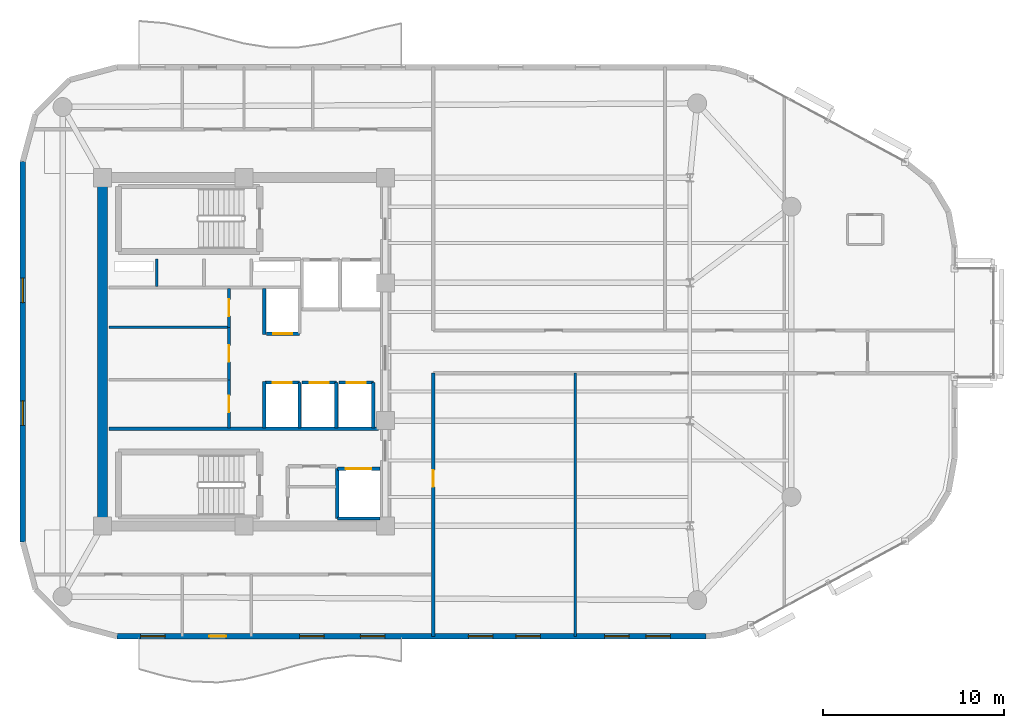
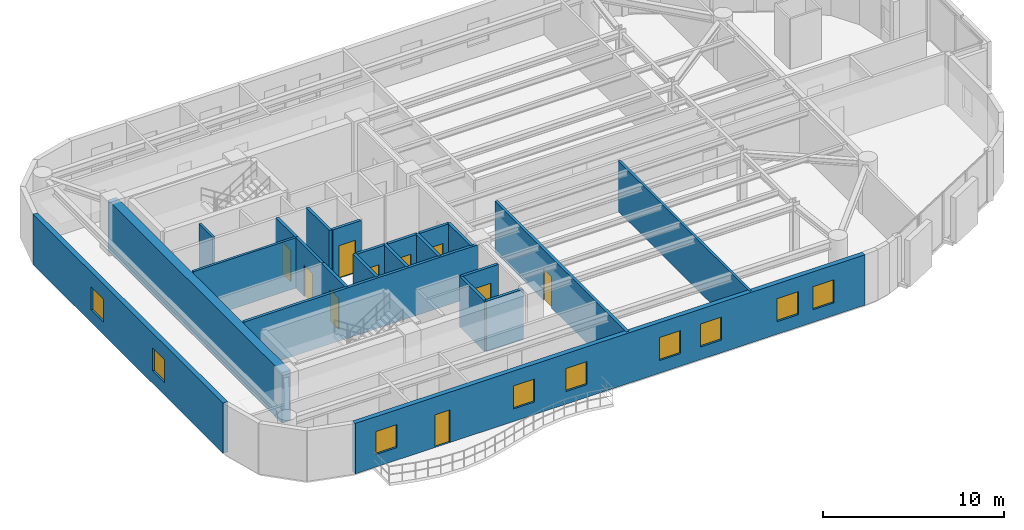
# One storey, part 10 of 15: 23 walls, 10 doors, 9 windows, 19 openings.
"""IFC4 building model written with IfcOpenShell, lengths in metres."""

from ifc_helpers import new_model, si_unit, direction, frame, frame_2d, origin, place, context, subcontext, project, spatial, rectangle, extrude, material, layer, layer_set, type_object, element, fill, save


model = new_model("IFC4")

# Units and contexts
model_context = context("Model", 3, precision=1e-05, world=origin(), true_north=direction((0.0, 1.0)))
body_context = subcontext(model_context, "Body", "Model", "MODEL_VIEW")
ifc_project = project(units=[si_unit("LENGTHUNIT", "METRE"), si_unit("AREAUNIT", "SQUARE_METRE"), si_unit("VOLUMEUNIT", "CUBIC_METRE"), si_unit("PLANEANGLEUNIT", "RADIAN"), si_unit("MASSUNIT", "GRAM", prefix="KILO")], contexts=[model_context])

# Site, building, storey
site_placement = place(None, origin())
site = spatial("IfcSite", under=ifc_project, at=site_placement, CompositionType="ELEMENT")
building_placement = place(site_placement, origin())
building = spatial("IfcBuilding", under=site, at=building_placement, Name="An Khanh Terracotta Commons", CompositionType="ELEMENT")
storey_placement = place(building_placement, frame((0.0, 0.0, 208.5)))
storey = spatial("IfcBuildingStorey", under=building, at=storey_placement, Name="L54", CompositionType="ELEMENT", Elevation=208.5)

# Walls
ifc_material_1 = material(Name="Concrete C50/60", Category="concrete")
ifc_layer_1 = layer(ifc_material_1, 0.550048828125, Name="Concrete C50/60")
ifc_layer_set_1 = layer_set([ifc_layer_1], Name="Concrete C50/60")
wall_type_1 = type_object("IfcWallType", Name="WALL-CORE-550", PredefinedType="SHEAR", material=ifc_layer_set_1)
wall_1_placement = place(storey_placement, frame((21.60009765625, 14.39990234375, 0.0), z_axis=(0.0, 0.0, 1.0), x_axis=(0.0, 1.0, 0.0)))
element("IfcWall", 1, at=wall_1_placement, inside=storey, type_object=wall_type_1, Name="L54 Core Wall CWALL-L54-W", PredefinedType="SHEAR", context=body_context, shape_type="SweptSolid", body=[
    extrude(rectangle(XDim=19.2001953125, YDim=0.550048828125, at=frame_2d((9.60009765625, 0.0))), origin(), (0.0, 0.0, 1.0), 3.39990234375),
])
ifc_material_2 = material(Name="Fire-Rated Gypsum Board on Steel Stud", Category="steel")
ifc_layer_2 = layer(ifc_material_2, 0.179931640625, Name="Fire-Rated Gypsum Board on Steel Stud")
ifc_layer_set_2 = layer_set([ifc_layer_2], Name="Fire-Rated Gypsum Board on Steel Stud")
wall_type_2 = type_object("IfcWallType", Name="WALL-CORR-180", PredefinedType="PARTITIONING", material=ifc_layer_set_2)
wall_2_placement = place(storey_placement, frame((21.949951171875, 19.760009765625, 0.0), z_axis=(0.0, 0.0, 1.0), x_axis=(1.0, 0.0, 0.0)))
element("IfcWall", 2, at=wall_2_placement, inside=storey, type_object=wall_type_2, Name="L54 Core Wall SVW-L54-N", PredefinedType="PARTITIONING", context=body_context, shape_type="SweptSolid", body=[
    extrude(rectangle(XDim=14.8701171875, YDim=0.179931640625, at=frame_2d((7.43505859375, 0.0))), origin(), (0.0, 0.0, 1.0), 3.39990234375),
])

# Wall, opening, door
wall_3_placement = place(storey_placement, frame((34.550048828125, 17.550048828125, 0.0), z_axis=(0.0, 0.0, 1.0), x_axis=(1.0, 0.0, 0.0)))
wall_3 = element("IfcWall", 3, at=wall_3_placement, inside=storey, type_object=wall_type_2, Name="L54 Core Wall LSH-L54-SVL-01-N", PredefinedType="PARTITIONING", context=body_context, shape_type="SweptSolid", body=[
    extrude(rectangle(XDim=2.349853515625, YDim=0.179931640625, at=frame_2d((1.1748046875, 0.0))), origin(), (0.0, 0.0, 1.0), 3.39990234375),
])
opening_1_placement = place(wall_3_placement, frame((0.47509765625, 0.0, 0.0)))
opening_1 = element("IfcOpeningElement", 4, at=opening_1_placement, cuts=wall_3, Name="Opening LD-SVL-01-L54", PredefinedType="OPENING", context=body_context, shape_type="SweptSolid", body=[
    extrude(rectangle(XDim=1.39990234375, YDim=2.300048828125, at=frame_2d((0.699951171875, 1.14990234375))), frame((0.0, 0.099853515625, 0.0), z_axis=(0.0, -1.0, 0.0), x_axis=(1.0, 0.0, 0.0)), (0.0, 0.0, 1.0), 0.199951171875),
])
ifc_material_3 = material(Name="Heavy-Duty Stainless Steel Goods Landing Door", Category="steel")
door_type_1 = type_object("IfcDoorType", Name="DOOR-LD-SVL-1400", OperationType="NOTDEFINED", PredefinedType="DOOR", material=ifc_material_3)
door_1_placement = place(opening_1_placement, origin())
door_1 = element("IfcDoor", 5, at=door_1_placement, inside=storey, type_object=door_type_1, Name="L54 Lift SVL-01 Sliding Landing Door", OperationType="DOUBLE_DOOR_SLIDING", OverallHeight=2.300048828125, OverallWidth=1.39990234375, PredefinedType="DOOR", context=body_context, shape_type="SweptSolid", body=[
    extrude(rectangle(XDim=1.39990234375, YDim=2.300048828125, at=frame_2d((0.699951171875, 1.14990234375))), frame((0.0, 0.02490234375, 0.0), z_axis=(0.0, -1.0, 0.0), x_axis=(1.0, 0.0, 0.0)), (0.0, 0.0, 1.0), 0.050048828125),
])
fill(opening_1, door_1)

# Walls
wall_4_placement = place(storey_placement, frame((36.89990234375, 14.800048828125, 0.0), z_axis=(0.0, 0.0, 1.0), x_axis=(-1.0, 0.0, 0.0)))
element("IfcWall", 6, at=wall_4_placement, inside=storey, type_object=wall_type_2, Name="L54 Core Wall LSH-L54-SVL-01-S", PredefinedType="PARTITIONING", context=body_context, shape_type="SweptSolid", body=[
    extrude(rectangle(XDim=2.349853515625, YDim=0.179931640625, at=frame_2d((1.1748046875, 0.0))), origin(), (0.0, 0.0, 1.0), 3.39990234375),
])
wall_5_placement = place(storey_placement, frame((34.550048828125, 17.550048828125, 0.0), z_axis=(0.0, 0.0, 1.0), x_axis=(0.0, -1.0, 0.0)))
element("IfcWall", 7, at=wall_5_placement, inside=storey, type_object=wall_type_2, Name="L54 Core Wall LSH-L54-SVL-01-W", PredefinedType="PARTITIONING", context=body_context, shape_type="SweptSolid", body=[
    extrude(rectangle(XDim=2.75, YDim=0.179931640625, at=frame_2d((1.375, 0.0))), origin(), (0.0, 0.0, 1.0), 3.39990234375),
])

# Wall, opening, door
wall_6_placement = place(storey_placement, frame((32.4599609375, 25.0, 0.0), z_axis=(0.0, 0.0, 1.0), x_axis=(-1.0, 0.0, 0.0)))
wall_6 = element("IfcWall", 8, at=wall_6_placement, inside=storey, type_object=wall_type_2, Name="L54 Core Wall LSH-L54-PL-H1-S", PredefinedType="PARTITIONING", context=body_context, shape_type="SweptSolid", body=[
    extrude(rectangle(XDim=1.820068359375, YDim=0.179931640625, at=frame_2d((0.91015625, 0.0))), origin(), (0.0, 0.0, 1.0), 3.39990234375),
])
opening_2_placement = place(wall_6_placement, frame((0.385009765625, 0.0, 0.0)))
opening_2 = element("IfcOpeningElement", 9, at=opening_2_placement, cuts=wall_6, Name="Opening LD-PL-H1-L54", PredefinedType="OPENING", context=body_context, shape_type="SweptSolid", body=[
    extrude(rectangle(XDim=1.050048828125, YDim=2.199951171875, at=frame_2d((0.52490234375, 1.10009765625))), frame((0.0, 0.099853515625, 0.0), z_axis=(0.0, -1.0, 0.0), x_axis=(1.0, 0.0, 0.0)), (0.0, 0.0, 1.0), 0.199951171875),
])
ifc_material_4 = material(Name="Brushed Stainless Steel High-Rise Landing Door", Category="steel")
door_type_2 = type_object("IfcDoorType", Name="DOOR-LD-PAXH-1050", OperationType="NOTDEFINED", PredefinedType="DOOR", material=ifc_material_4)
door_2_placement = place(opening_2_placement, origin())
door_2 = element("IfcDoor", 10, at=door_2_placement, inside=storey, type_object=door_type_2, Name="L54 Lift PL-H1 Sliding Landing Door", OperationType="DOUBLE_DOOR_SLIDING", OverallHeight=2.199951171875, OverallWidth=1.050048828125, PredefinedType="DOOR", context=body_context, shape_type="SweptSolid", body=[
    extrude(rectangle(XDim=1.050048828125, YDim=2.199951171875, at=frame_2d((0.52490234375, 1.10009765625))), frame((0.0, 0.02490234375, 0.0), z_axis=(0.0, -1.0, 0.0), x_axis=(1.0, 0.0, 0.0)), (0.0, 0.0, 1.0), 0.050048828125),
])
fill(opening_2, door_2)

wall_7_placement = place(storey_placement, frame((30.56005859375, 22.300048828125, 0.0), z_axis=(0.0, 0.0, 1.0), x_axis=(1.0, 0.0, 0.0)))
wall_7 = element("IfcWall", 11, at=wall_7_placement, inside=storey, type_object=wall_type_2, Name="L54 Core Wall LSH-L54-PL-H2-N", PredefinedType="PARTITIONING", context=body_context, shape_type="SweptSolid", body=[
    extrude(rectangle(XDim=1.89990234375, YDim=0.179931640625, at=frame_2d((0.949951171875, 0.0))), origin(), (0.0, 0.0, 1.0), 3.39990234375),
])
opening_3_placement = place(wall_7_placement, frame((0.425048828125, 0.0, 0.0)))
opening_3 = element("IfcOpeningElement", 12, at=opening_3_placement, cuts=wall_7, Name="Opening LD-PL-H2-L54", PredefinedType="OPENING", context=body_context, shape_type="SweptSolid", body=[
    extrude(rectangle(XDim=1.050048828125, YDim=2.199951171875, at=frame_2d((0.52490234375, 1.10009765625))), frame((0.0, 0.099853515625, 0.0), z_axis=(0.0, -1.0, 0.0), x_axis=(1.0, 0.0, 0.0)), (0.0, 0.0, 1.0), 0.199951171875),
])
door_3_placement = place(opening_3_placement, origin())
door_3 = element("IfcDoor", 13, at=door_3_placement, inside=storey, type_object=door_type_2, Name="L54 Lift PL-H2 Sliding Landing Door", OperationType="DOUBLE_DOOR_SLIDING", OverallHeight=2.199951171875, OverallWidth=1.050048828125, PredefinedType="DOOR", context=body_context, shape_type="SweptSolid", body=[
    extrude(rectangle(XDim=1.050048828125, YDim=2.199951171875, at=frame_2d((0.52490234375, 1.10009765625))), frame((0.0, 0.02490234375, 0.0), z_axis=(0.0, -1.0, 0.0), x_axis=(1.0, 0.0, 0.0)), (0.0, 0.0, 1.0), 0.050048828125),
])
fill(opening_3, door_3)

# Wall
wall_8_placement = place(storey_placement, frame((32.4599609375, 19.800048828125, 0.0), z_axis=(0.0, 0.0, 1.0), x_axis=(0.0, 1.0, 0.0)))
element("IfcWall", 14, at=wall_8_placement, inside=storey, type_object=wall_type_2, Name="L54 Core Wall LSH-L54-PL-H2-E", PredefinedType="PARTITIONING", context=body_context, shape_type="SweptSolid", body=[
    extrude(rectangle(XDim=2.5, YDim=0.179931640625, at=frame_2d((1.25, 0.0))), origin(), (0.0, 0.0, 1.0), 3.39990234375),
])

# Wall, opening, door
wall_9_placement = place(storey_placement, frame((32.60009765625, 22.300048828125, 0.0), z_axis=(0.0, 0.0, 1.0), x_axis=(1.0, 0.0, 0.0)))
wall_9 = element("IfcWall", 15, at=wall_9_placement, inside=storey, type_object=wall_type_2, Name="L54 Core Wall LSH-L54-PL-H3-N", PredefinedType="PARTITIONING", context=body_context, shape_type="SweptSolid", body=[
    extrude(rectangle(XDim=1.89990234375, YDim=0.179931640625, at=frame_2d((0.949951171875, 0.0))), origin(), (0.0, 0.0, 1.0), 3.39990234375),
])
opening_4_placement = place(wall_9_placement, frame((0.425048828125, 0.0, 0.0)))
opening_4 = element("IfcOpeningElement", 16, at=opening_4_placement, cuts=wall_9, Name="Opening LD-PL-H3-L54", PredefinedType="OPENING", context=body_context, shape_type="SweptSolid", body=[
    extrude(rectangle(XDim=1.050048828125, YDim=2.199951171875, at=frame_2d((0.52490234375, 1.10009765625))), frame((0.0, 0.099853515625, 0.0), z_axis=(0.0, -1.0, 0.0), x_axis=(1.0, 0.0, 0.0)), (0.0, 0.0, 1.0), 0.199951171875),
])
door_4_placement = place(opening_4_placement, origin())
door_4 = element("IfcDoor", 17, at=door_4_placement, inside=storey, type_object=door_type_2, Name="L54 Lift PL-H3 Sliding Landing Door", OperationType="DOUBLE_DOOR_SLIDING", OverallHeight=2.199951171875, OverallWidth=1.050048828125, PredefinedType="DOOR", context=body_context, shape_type="SweptSolid", body=[
    extrude(rectangle(XDim=1.050048828125, YDim=2.199951171875, at=frame_2d((0.52490234375, 1.10009765625))), frame((0.0, 0.02490234375, 0.0), z_axis=(0.0, -1.0, 0.0), x_axis=(1.0, 0.0, 0.0)), (0.0, 0.0, 1.0), 0.050048828125),
])
fill(opening_4, door_4)

# Wall
wall_10_placement = place(storey_placement, frame((34.5, 19.800048828125, 0.0), z_axis=(0.0, 0.0, 1.0), x_axis=(0.0, 1.0, 0.0)))
element("IfcWall", 18, at=wall_10_placement, inside=storey, type_object=wall_type_2, Name="L54 Core Wall LSH-L54-PL-H3-E", PredefinedType="PARTITIONING", context=body_context, shape_type="SweptSolid", body=[
    extrude(rectangle(XDim=2.5, YDim=0.179931640625, at=frame_2d((1.25, 0.0))), origin(), (0.0, 0.0, 1.0), 3.39990234375),
])

# Wall, opening, door
wall_11_placement = place(storey_placement, frame((34.639892578125, 22.300048828125, 0.0), z_axis=(0.0, 0.0, 1.0), x_axis=(1.0, 0.0, 0.0)))
wall_11 = element("IfcWall", 19, at=wall_11_placement, inside=storey, type_object=wall_type_2, Name="L54 Core Wall LSH-L54-PL-H4-N", PredefinedType="PARTITIONING", context=body_context, shape_type="SweptSolid", body=[
    extrude(rectangle(XDim=1.900146484375, YDim=0.179931640625, at=frame_2d((0.9501953125, 0.0))), origin(), (0.0, 0.0, 1.0), 3.39990234375),
])
opening_5_placement = place(wall_11_placement, frame((0.425048828125, 0.0, 0.0)))
opening_5 = element("IfcOpeningElement", 20, at=opening_5_placement, cuts=wall_11, Name="Opening LD-PL-H4-L54", PredefinedType="OPENING", context=body_context, shape_type="SweptSolid", body=[
    extrude(rectangle(XDim=1.050048828125, YDim=2.199951171875, at=frame_2d((0.52490234375, 1.10009765625))), frame((0.0, 0.099853515625, 0.0), z_axis=(0.0, -1.0, 0.0), x_axis=(1.0, 0.0, 0.0)), (0.0, 0.0, 1.0), 0.199951171875),
])
door_5_placement = place(opening_5_placement, origin())
door_5 = element("IfcDoor", 21, at=door_5_placement, inside=storey, type_object=door_type_2, Name="L54 Lift PL-H4 Sliding Landing Door", OperationType="DOUBLE_DOOR_SLIDING", OverallHeight=2.199951171875, OverallWidth=1.050048828125, PredefinedType="DOOR", context=body_context, shape_type="SweptSolid", body=[
    extrude(rectangle(XDim=1.050048828125, YDim=2.199951171875, at=frame_2d((0.52490234375, 1.10009765625))), frame((0.0, 0.02490234375, 0.0), z_axis=(0.0, -1.0, 0.0), x_axis=(1.0, 0.0, 0.0)), (0.0, 0.0, 1.0), 0.050048828125),
])
fill(opening_5, door_5)

# Walls
wall_12_placement = place(storey_placement, frame((36.5400390625, 19.800048828125, 0.0), z_axis=(0.0, 0.0, 1.0), x_axis=(0.0, 1.0, 0.0)))
element("IfcWall", 22, at=wall_12_placement, inside=storey, type_object=wall_type_2, Name="L54 Core Wall LSH-L54-PL-H4-E", PredefinedType="PARTITIONING", context=body_context, shape_type="SweptSolid", body=[
    extrude(rectangle(XDim=2.5, YDim=0.179931640625, at=frame_2d((1.25, 0.0))), origin(), (0.0, 0.0, 1.0), 3.39990234375),
])
for number, where, z_axis, x_axis, name in (
    (23, (30.52001953125, 24.949951171875, 0.0), (0.0, 0.0, 1.0), (0.0, 1.0, 0.0), "L54 Core Wall RECW-L54-BE1"),
    (24, (30.52001953125, 19.800048828125, 0.0), (0.0, 0.0, 1.0), (0.0, 1.0, 0.0), "L54 Core Wall RECW-L54-BE2"),
):
    element("IfcWall", number, at=place(storey_placement, frame(where, z_axis=z_axis, x_axis=x_axis)), inside=storey, type_object=wall_type_2, Name=name, PredefinedType="PARTITIONING", context=body_context, shape_type="SweptSolid", body=[
        extrude(rectangle(XDim=2.550048828125, YDim=0.179931640625, at=frame_2d((1.27490234375, 0.0))), origin(), (0.0, 0.0, 1.0), 3.39990234375),
    ])

# Wall, opening, door
wall_13_placement = place(storey_placement, frame((28.580078125, 25.35009765625, 0.0), z_axis=(0.0, 0.0, 1.0), x_axis=(0.0, 1.0, 0.0)))
wall_13 = element("IfcWall", 25, at=wall_13_placement, inside=storey, type_object=wall_type_2, Name="L54 Core Wall RECW-L54-E1", PredefinedType="PARTITIONING", context=body_context, shape_type="SweptSolid", body=[
    extrude(rectangle(XDim=2.14990234375, YDim=0.179931640625, at=frame_2d((1.074951171875, 0.0))), origin(), (0.0, 0.0, 1.0), 3.39990234375),
])
opening_6_placement = place(wall_13_placement, frame((0.614990234375, 0.0, 0.0)))
opening_6 = element("IfcOpeningElement", 26, at=opening_6_placement, cuts=wall_13, Name="Opening D-RM", PredefinedType="OPENING", context=body_context, shape_type="SweptSolid", body=[
    extrude(rectangle(XDim=0.919921875, YDim=2.10009765625, at=frame_2d((0.4599609375, 1.050048828125))), frame((0.0, 0.099853515625, 0.0), z_axis=(0.0, -1.0, 0.0), x_axis=(1.0, 0.0, 0.0)), (0.0, 0.0, 1.0), 0.199951171875),
])
ifc_material_5 = material(Name="Engineered Hardwood Timber Leaf", Category="wood")
door_type_3 = type_object("IfcDoorType", Name="DOOR-INT-920", OperationType="NOTDEFINED", PredefinedType="DOOR", material=ifc_material_5)
door_6_placement = place(opening_6_placement, origin())
door_6 = element("IfcDoor", 27, at=door_6_placement, inside=storey, type_object=door_type_3, Name="L54 Quiet Focus Pod Door", OperationType="SINGLE_SWING_LEFT", OverallHeight=2.10009765625, OverallWidth=0.919921875, PredefinedType="DOOR", context=body_context, shape_type="SweptSolid", body=[
    extrude(rectangle(XDim=0.919921875, YDim=2.10009765625, at=frame_2d((0.4599609375, 1.050048828125))), frame((0.0, 0.02490234375, 0.0), z_axis=(0.0, -1.0, 0.0), x_axis=(1.0, 0.0, 0.0)), (0.0, 0.0, 1.0), 0.050048828125),
])
fill(opening_6, door_6)

wall_14_placement = place(storey_placement, frame((28.580078125, 22.449951171875, 0.0), z_axis=(0.0, 0.0, 1.0), x_axis=(0.0, 1.0, 0.0)))
wall_14 = element("IfcWall", 28, at=wall_14_placement, inside=storey, type_object=wall_type_2, Name="L54 Core Wall RECW-L54-E2", PredefinedType="PARTITIONING", context=body_context, shape_type="SweptSolid", body=[
    extrude(rectangle(XDim=2.900146484375, YDim=0.179931640625, at=frame_2d((1.4501953125, 0.0))), origin(), (0.0, 0.0, 1.0), 3.39990234375),
])
opening_7_placement = place(wall_14_placement, frame((0.989990234375, 0.0, 0.0)))
opening_7 = element("IfcOpeningElement", 29, at=opening_7_placement, cuts=wall_14, Name="Opening D-RM", PredefinedType="OPENING", context=body_context, shape_type="SweptSolid", body=[
    extrude(rectangle(XDim=0.919921875, YDim=2.10009765625, at=frame_2d((0.4599609375, 1.050048828125))), frame((0.0, 0.099853515625, 0.0), z_axis=(0.0, -1.0, 0.0), x_axis=(1.0, 0.0, 0.0)), (0.0, 0.0, 1.0), 0.199951171875),
])
door_7_placement = place(opening_7_placement, origin())
door_7 = element("IfcDoor", 30, at=door_7_placement, inside=storey, type_object=door_type_3, Name="L54 Floor Pantry and Tea Room Door", OperationType="SINGLE_SWING_RIGHT", OverallHeight=2.10009765625, OverallWidth=0.919921875, PredefinedType="DOOR", context=body_context, shape_type="SweptSolid", body=[
    extrude(rectangle(XDim=0.919921875, YDim=2.10009765625, at=frame_2d((0.4599609375, 1.050048828125))), frame((0.0, 0.02490234375, 0.0), z_axis=(0.0, -1.0, 0.0), x_axis=(1.0, 0.0, 0.0)), (0.0, 0.0, 1.0), 0.050048828125),
])
fill(opening_7, door_7)

wall_15_placement = place(storey_placement, frame((28.580078125, 19.800048828125, 0.0), z_axis=(0.0, 0.0, 1.0), x_axis=(0.0, 1.0, 0.0)))
wall_15 = element("IfcWall", 31, at=wall_15_placement, inside=storey, type_object=wall_type_2, Name="L54 Core Wall RECW-L54-E3", PredefinedType="PARTITIONING", context=body_context, shape_type="SweptSolid", body=[
    extrude(rectangle(XDim=2.64990234375, YDim=0.179931640625, at=frame_2d((1.324951171875, 0.0))), origin(), (0.0, 0.0, 1.0), 3.39990234375),
])
opening_8_placement = place(wall_15_placement, frame((0.864990234375, 0.0, 0.0)))
opening_8 = element("IfcOpeningElement", 32, at=opening_8_placement, cuts=wall_15, Name="Opening D-RM", PredefinedType="OPENING", context=body_context, shape_type="SweptSolid", body=[
    extrude(rectangle(XDim=0.919921875, YDim=2.10009765625, at=frame_2d((0.4599609375, 1.050048828125))), frame((0.0, 0.099853515625, 0.0), z_axis=(0.0, -1.0, 0.0), x_axis=(1.0, 0.0, 0.0)), (0.0, 0.0, 1.0), 0.199951171875),
])
door_8_placement = place(opening_8_placement, origin())
door_8 = element("IfcDoor", 33, at=door_8_placement, inside=storey, type_object=door_type_3, Name="L54 Communal Laundry Room Door", OperationType="SINGLE_SWING_LEFT", OverallHeight=2.10009765625, OverallWidth=0.919921875, PredefinedType="DOOR", context=body_context, shape_type="SweptSolid", body=[
    extrude(rectangle(XDim=0.919921875, YDim=2.10009765625, at=frame_2d((0.4599609375, 1.050048828125))), frame((0.0, 0.02490234375, 0.0), z_axis=(0.0, -1.0, 0.0), x_axis=(1.0, 0.0, 0.0)), (0.0, 0.0, 1.0), 0.050048828125),
])
fill(opening_8, door_8)

wall_16_placement = place(storey_placement, frame((39.85009765625, 8.300048828125, 0.0), z_axis=(0.0, 0.0, 1.0), x_axis=(0.0, 1.0, 0.0)))
wall_16 = element("IfcWall", 34, at=wall_16_placement, inside=storey, type_object=wall_type_2, Name="L54 Interior Partition IW-L54-E010", PredefinedType="PARTITIONING", context=body_context, shape_type="SweptSolid", body=[
    extrude(rectangle(XDim=14.52001953125, YDim=0.179931640625, at=frame_2d((7.260009765625, 0.0))), origin(), (0.0, 0.0, 1.0), 3.39990234375),
])
opening_9_placement = place(wall_16_placement, frame((8.25, 0.0, 0.0)))
opening_9 = element("IfcOpeningElement", 35, at=opening_9_placement, cuts=wall_16, Name="Opening D-RM", PredefinedType="OPENING", context=body_context, shape_type="SweptSolid", body=[
    extrude(rectangle(XDim=0.919921875, YDim=2.10009765625, at=frame_2d((0.4599609375, 1.050048828125))), frame((0.0, 0.099853515625, 0.0), z_axis=(0.0, -1.0, 0.0), x_axis=(1.0, 0.0, 0.0)), (0.0, 0.0, 1.0), 0.199951171875),
])
door_9_placement = place(opening_9_placement, origin())
door_9 = element("IfcDoor", 36, at=door_9_placement, inside=storey, type_object=door_type_3, Name="L54 SB1 Group Tutorial Meeting Room Door", OperationType="SINGLE_SWING_RIGHT", OverallHeight=2.10009765625, OverallWidth=0.919921875, PredefinedType="DOOR", context=body_context, shape_type="SweptSolid", body=[
    extrude(rectangle(XDim=0.919921875, YDim=2.10009765625, at=frame_2d((0.4599609375, 1.050048828125))), frame((0.0, 0.02490234375, 0.0), z_axis=(0.0, -1.0, 0.0), x_axis=(1.0, 0.0, 0.0)), (0.0, 0.0, 1.0), 0.050048828125),
])
fill(opening_9, door_9)

# Wall, openings, door, windows
ifc_material_6 = material(Name="Precast concrete C40/50", Category="concrete")
ifc_layer_3 = layer(ifc_material_6, 0.300048828125, Name="Precast concrete C40/50")
ifc_layer_set_3 = layer_set([ifc_layer_3], Name="Precast concrete C40/50")
wall_type_3 = type_object("IfcWallType", Name="WALL-EXT-300", PredefinedType="SOLIDWALL", material=ifc_layer_set_3)
wall_17_placement = place(storey_placement, frame((22.39990234375, 8.300048828125, 0.0), z_axis=(0.0, 0.0, 1.0), x_axis=(1.0, 0.0, 0.0)))
wall_17 = element("IfcWall", 37, at=wall_17_placement, inside=storey, type_object=wall_type_3, Name="L54 Insulated Terracotta Exterior Wall 4", PredefinedType="SOLIDWALL", context=body_context, shape_type="SweptSolid", body=[
    extrude(rectangle(XDim=32.485107421875, YDim=0.300048828125, at=frame_2d((16.24267578125, 0.0))), origin(), (0.0, 0.0, 1.0), 3.39990234375),
])
opening_10_placement = place(wall_17_placement, frame((5.074951171875, 0.0, 0.0)))
opening_10 = element("IfcOpeningElement", 38, at=opening_10_placement, cuts=wall_17, Name="Opening D-BAL", PredefinedType="OPENING", context=body_context, shape_type="SweptSolid", body=[
    extrude(rectangle(XDim=0.949951171875, YDim=2.199951171875, at=frame_2d((0.47509765625, 1.10009765625))), frame((0.0, 0.159912109375, 0.0), z_axis=(0.0, -1.0, 0.0), x_axis=(1.0, 0.0, 0.0)), (0.0, 0.0, 1.0), 0.320068359375),
])
opening_11_placement = place(wall_17_placement, frame((1.300048828125, 0.0, 0.85009765625)))
opening_11 = element("IfcOpeningElement", 39, at=opening_11_placement, cuts=wall_17, Name="Opening W-04", PredefinedType="OPENING", context=body_context, shape_type="SweptSolid", body=[
    extrude(rectangle(XDim=1.35009765625, YDim=1.550048828125, at=frame_2d((0.675048828125, 0.77490234375))), frame((0.0, 0.159912109375, 0.0), z_axis=(0.0, -1.0, 0.0), x_axis=(1.0, 0.0, 0.0)), (0.0, 0.0, 1.0), 0.320068359375),
])
opening_12_placement = place(wall_17_placement, frame((10.074951171875, 0.0, 0.85009765625)))
opening_12 = element("IfcOpeningElement", 40, at=opening_12_placement, cuts=wall_17, Name="Opening W-04", PredefinedType="OPENING", context=body_context, shape_type="SweptSolid", body=[
    extrude(rectangle(XDim=1.35009765625, YDim=1.550048828125, at=frame_2d((0.675048828125, 0.77490234375))), frame((0.0, 0.159912109375, 0.0), z_axis=(0.0, -1.0, 0.0), x_axis=(1.0, 0.0, 0.0)), (0.0, 0.0, 1.0), 0.320068359375),
])
opening_13_placement = place(wall_17_placement, frame((13.425048828125, 0.0, 0.85009765625)))
opening_13 = element("IfcOpeningElement", 41, at=opening_13_placement, cuts=wall_17, Name="Opening W-04", PredefinedType="OPENING", context=body_context, shape_type="SweptSolid", body=[
    extrude(rectangle(XDim=1.35009765625, YDim=1.550048828125, at=frame_2d((0.675048828125, 0.77490234375))), frame((0.0, 0.159912109375, 0.0), z_axis=(0.0, -1.0, 0.0), x_axis=(1.0, 0.0, 0.0)), (0.0, 0.0, 1.0), 0.320068359375),
])
opening_14_placement = place(wall_17_placement, frame((19.385986328125, 0.0, 0.85009765625)))
opening_14 = element("IfcOpeningElement", 42, at=opening_14_placement, cuts=wall_17, Name="Opening W-04", PredefinedType="OPENING", context=body_context, shape_type="SweptSolid", body=[
    extrude(rectangle(XDim=1.35009765625, YDim=1.550048828125, at=frame_2d((0.675048828125, 0.77490234375))), frame((0.0, 0.159912109375, 0.0), z_axis=(0.0, -1.0, 0.0), x_axis=(1.0, 0.0, 0.0)), (0.0, 0.0, 1.0), 0.320068359375),
])
opening_15_placement = place(wall_17_placement, frame((21.99609375, 0.0, 0.85009765625)))
opening_15 = element("IfcOpeningElement", 43, at=opening_15_placement, cuts=wall_17, Name="Opening W-04", PredefinedType="OPENING", context=body_context, shape_type="SweptSolid", body=[
    extrude(rectangle(XDim=1.35009765625, YDim=1.550048828125, at=frame_2d((0.675048828125, 0.77490234375))), frame((0.0, 0.159912109375, 0.0), z_axis=(0.0, -1.0, 0.0), x_axis=(1.0, 0.0, 0.0)), (0.0, 0.0, 1.0), 0.320068359375),
])
opening_16_placement = place(wall_17_placement, frame((26.89111328125, 0.0, 0.85009765625)))
opening_16 = element("IfcOpeningElement", 44, at=opening_16_placement, cuts=wall_17, Name="Opening W-04", PredefinedType="OPENING", context=body_context, shape_type="SweptSolid", body=[
    extrude(rectangle(XDim=1.35009765625, YDim=1.550048828125, at=frame_2d((0.675048828125, 0.77490234375))), frame((0.0, 0.159912109375, 0.0), z_axis=(0.0, -1.0, 0.0), x_axis=(1.0, 0.0, 0.0)), (0.0, 0.0, 1.0), 0.320068359375),
])
opening_17_placement = place(wall_17_placement, frame((29.176025390625, 0.0, 0.85009765625)))
opening_17 = element("IfcOpeningElement", 45, at=opening_17_placement, cuts=wall_17, Name="Opening W-04", PredefinedType="OPENING", context=body_context, shape_type="SweptSolid", body=[
    extrude(rectangle(XDim=1.35009765625, YDim=1.550048828125, at=frame_2d((0.675048828125, 0.77490234375))), frame((0.0, 0.159912109375, 0.0), z_axis=(0.0, -1.0, 0.0), x_axis=(1.0, 0.0, 0.0)), (0.0, 0.0, 1.0), 0.320068359375),
])
ifc_material_7 = material(Name="Thermally Broken Aluminium and Low-E Glass", Category="aluminium")
door_type_4 = type_object("IfcDoorType", Name="DOOR-BALC-950", OperationType="NOTDEFINED", PredefinedType="DOOR", material=ifc_material_7)
door_10_placement = place(opening_10_placement, origin())
door_10 = element("IfcDoor", 46, at=door_10_placement, inside=storey, type_object=door_type_4, Name="L54 S Wave Balcony Glazed Door", OperationType="SINGLE_SWING_LEFT", OverallHeight=2.199951171875, OverallWidth=0.949951171875, PredefinedType="DOOR", context=body_context, shape_type="SweptSolid", body=[
    extrude(rectangle(XDim=0.949951171875, YDim=2.199951171875, at=frame_2d((0.47509765625, 1.10009765625))), frame((0.0, 0.02490234375, 0.0), z_axis=(0.0, -1.0, 0.0), x_axis=(1.0, 0.0, 0.0)), (0.0, 0.0, 1.0), 0.050048828125),
])
fill(opening_10, door_10)
window_type = type_object("IfcWindowType", Name="WIN-Z4-1350x1550", PartitioningType="SINGLE_PANEL", PredefinedType="WINDOW", material=ifc_material_7)
window_1_placement = place(opening_11_placement, origin())
window_1 = element("IfcWindow", 47, at=window_1_placement, inside=storey, type_object=window_type, Name="L54 Operable Casement Window 4.1", OverallHeight=1.550048828125, OverallWidth=1.35009765625, PartitioningType="SINGLE_PANEL", PredefinedType="WINDOW", context=body_context, shape_type="SweptSolid", body=[
    extrude(rectangle(XDim=1.35009765625, YDim=1.550048828125, at=frame_2d((0.675048828125, 0.77490234375))), frame((0.0, 0.030029296875, 0.0), z_axis=(0.0, -1.0, 0.0), x_axis=(1.0, 0.0, 0.0)), (0.0, 0.0, 1.0), 0.06005859375),
])
fill(opening_11, window_1)
window_2_placement = place(opening_12_placement, origin())
window_2 = element("IfcWindow", 48, at=window_2_placement, inside=storey, type_object=window_type, Name="L54 Operable Casement Window 4.2", OverallHeight=1.550048828125, OverallWidth=1.35009765625, PartitioningType="SINGLE_PANEL", PredefinedType="WINDOW", context=body_context, shape_type="SweptSolid", body=[
    extrude(rectangle(XDim=1.35009765625, YDim=1.550048828125, at=frame_2d((0.675048828125, 0.77490234375))), frame((0.0, 0.030029296875, 0.0), z_axis=(0.0, -1.0, 0.0), x_axis=(1.0, 0.0, 0.0)), (0.0, 0.0, 1.0), 0.06005859375),
])
fill(opening_12, window_2)
window_3_placement = place(opening_13_placement, origin())
window_3 = element("IfcWindow", 49, at=window_3_placement, inside=storey, type_object=window_type, Name="L54 Operable Casement Window 4.3", OverallHeight=1.550048828125, OverallWidth=1.35009765625, PartitioningType="SINGLE_PANEL", PredefinedType="WINDOW", context=body_context, shape_type="SweptSolid", body=[
    extrude(rectangle(XDim=1.35009765625, YDim=1.550048828125, at=frame_2d((0.675048828125, 0.77490234375))), frame((0.0, 0.030029296875, 0.0), z_axis=(0.0, -1.0, 0.0), x_axis=(1.0, 0.0, 0.0)), (0.0, 0.0, 1.0), 0.06005859375),
])
fill(opening_13, window_3)
window_4_placement = place(opening_14_placement, origin())
window_4 = element("IfcWindow", 50, at=window_4_placement, inside=storey, type_object=window_type, Name="L54 Operable Casement Window 4.4", OverallHeight=1.550048828125, OverallWidth=1.35009765625, PartitioningType="SINGLE_PANEL", PredefinedType="WINDOW", context=body_context, shape_type="SweptSolid", body=[
    extrude(rectangle(XDim=1.35009765625, YDim=1.550048828125, at=frame_2d((0.675048828125, 0.77490234375))), frame((0.0, 0.030029296875, 0.0), z_axis=(0.0, -1.0, 0.0), x_axis=(1.0, 0.0, 0.0)), (0.0, 0.0, 1.0), 0.06005859375),
])
fill(opening_14, window_4)
window_5_placement = place(opening_15_placement, origin())
window_5 = element("IfcWindow", 51, at=window_5_placement, inside=storey, type_object=window_type, Name="L54 Operable Casement Window 4.5", OverallHeight=1.550048828125, OverallWidth=1.35009765625, PartitioningType="SINGLE_PANEL", PredefinedType="WINDOW", context=body_context, shape_type="SweptSolid", body=[
    extrude(rectangle(XDim=1.35009765625, YDim=1.550048828125, at=frame_2d((0.675048828125, 0.77490234375))), frame((0.0, 0.030029296875, 0.0), z_axis=(0.0, -1.0, 0.0), x_axis=(1.0, 0.0, 0.0)), (0.0, 0.0, 1.0), 0.06005859375),
])
fill(opening_15, window_5)
window_6_placement = place(opening_16_placement, origin())
window_6 = element("IfcWindow", 52, at=window_6_placement, inside=storey, type_object=window_type, Name="L54 Operable Casement Window 4.6", OverallHeight=1.550048828125, OverallWidth=1.35009765625, PartitioningType="SINGLE_PANEL", PredefinedType="WINDOW", context=body_context, shape_type="SweptSolid", body=[
    extrude(rectangle(XDim=1.35009765625, YDim=1.550048828125, at=frame_2d((0.675048828125, 0.77490234375))), frame((0.0, 0.030029296875, 0.0), z_axis=(0.0, -1.0, 0.0), x_axis=(1.0, 0.0, 0.0)), (0.0, 0.0, 1.0), 0.06005859375),
])
fill(opening_16, window_6)
window_7_placement = place(opening_17_placement, origin())
window_7 = element("IfcWindow", 53, at=window_7_placement, inside=storey, type_object=window_type, Name="L54 Operable Casement Window 4.7", OverallHeight=1.550048828125, OverallWidth=1.35009765625, PartitioningType="SINGLE_PANEL", PredefinedType="WINDOW", context=body_context, shape_type="SweptSolid", body=[
    extrude(rectangle(XDim=1.35009765625, YDim=1.550048828125, at=frame_2d((0.675048828125, 0.77490234375))), frame((0.0, 0.030029296875, 0.0), z_axis=(0.0, -1.0, 0.0), x_axis=(1.0, 0.0, 0.0)), (0.0, 0.0, 1.0), 0.06005859375),
])
fill(opening_17, window_7)

# Wall, openings, windows
wall_18_placement = place(storey_placement, frame((17.199951171875, 34.5, 0.0), z_axis=(0.0, 0.0, 1.0), x_axis=(0.0, -1.0, 0.0)))
wall_18 = element("IfcWall", 54, at=wall_18_placement, inside=storey, type_object=wall_type_3, Name="L54 Insulated Terracotta Exterior Wall 24", PredefinedType="SOLIDWALL", context=body_context, shape_type="SweptSolid", body=[
    extrude(rectangle(XDim=21.0, YDim=0.300048828125, at=frame_2d((10.5, 0.0))), origin(), (0.0, 0.0, 1.0), 3.39990234375),
])
opening_18_placement = place(wall_18_placement, frame((6.44189453125, 0.0, 0.85009765625)))
opening_18 = element("IfcOpeningElement", 55, at=opening_18_placement, cuts=wall_18, Name="Opening W-04", PredefinedType="OPENING", context=body_context, shape_type="SweptSolid", body=[
    extrude(rectangle(XDim=1.35009765625, YDim=1.550048828125, at=frame_2d((0.675048828125, 0.77490234375))), frame((0.0, 0.159912109375, 0.0), z_axis=(0.0, -1.0, 0.0), x_axis=(1.0, 0.0, 0.0)), (0.0, 0.0, 1.0), 0.320068359375),
])
opening_19_placement = place(wall_18_placement, frame((13.2080078125, 0.0, 0.85009765625)))
opening_19 = element("IfcOpeningElement", 56, at=opening_19_placement, cuts=wall_18, Name="Opening W-04", PredefinedType="OPENING", context=body_context, shape_type="SweptSolid", body=[
    extrude(rectangle(XDim=1.35009765625, YDim=1.550048828125, at=frame_2d((0.675048828125, 0.77490234375))), frame((0.0, 0.159912109375, 0.0), z_axis=(0.0, -1.0, 0.0), x_axis=(1.0, 0.0, 0.0)), (0.0, 0.0, 1.0), 0.320068359375),
])
window_8_placement = place(opening_18_placement, origin())
window_8 = element("IfcWindow", 57, at=window_8_placement, inside=storey, type_object=window_type, Name="L54 Operable Casement Window 24.1", OverallHeight=1.550048828125, OverallWidth=1.35009765625, PartitioningType="SINGLE_PANEL", PredefinedType="WINDOW", context=body_context, shape_type="SweptSolid", body=[
    extrude(rectangle(XDim=1.35009765625, YDim=1.550048828125, at=frame_2d((0.675048828125, 0.77490234375))), frame((0.0, 0.030029296875, 0.0), z_axis=(0.0, -1.0, 0.0), x_axis=(1.0, 0.0, 0.0)), (0.0, 0.0, 1.0), 0.06005859375),
])
fill(opening_18, window_8)
window_9_placement = place(opening_19_placement, origin())
window_9 = element("IfcWindow", 58, at=window_9_placement, inside=storey, type_object=window_type, Name="L54 Operable Casement Window 24.2", OverallHeight=1.550048828125, OverallWidth=1.35009765625, PartitioningType="SINGLE_PANEL", PredefinedType="WINDOW", context=body_context, shape_type="SweptSolid", body=[
    extrude(rectangle(XDim=1.35009765625, YDim=1.550048828125, at=frame_2d((0.675048828125, 0.77490234375))), frame((0.0, 0.030029296875, 0.0), z_axis=(0.0, -1.0, 0.0), x_axis=(1.0, 0.0, 0.0)), (0.0, 0.0, 1.0), 0.06005859375),
])
fill(opening_19, window_9)

# Walls
ifc_material_8 = material(Name="Acoustic Gypsum Board Partition")
ifc_layer_4 = layer(ifc_material_8, 0.14990234375, Name="Acoustic Gypsum Board Partition")
ifc_layer_set_4 = layer_set([ifc_layer_4], Name="Acoustic Gypsum Board Partition")
wall_type_4 = type_object("IfcWallType", Name="WALL-PART-150", PredefinedType="PARTITIONING", material=ifc_layer_set_4)
wall_19_placement = place(storey_placement, frame((24.60009765625, 27.60009765625, 0.0), z_axis=(0.0, 0.0, 1.0), x_axis=(0.0, 1.0, 0.0)))
element("IfcWall", 59, at=wall_19_placement, inside=storey, type_object=wall_type_4, Name="L54 Core Wall RSRW-L54-D1", PredefinedType="PARTITIONING", context=body_context, shape_type="SweptSolid", body=[
    extrude(rectangle(XDim=1.52001953125, YDim=0.14990234375, at=frame_2d((0.760009765625, 0.0))), origin(), (0.0, 0.0, 1.0), 3.39990234375),
])
wall_20_placement = place(storey_placement, frame((21.949951171875, 25.35009765625, 0.0), z_axis=(0.0, 0.0, 1.0), x_axis=(1.0, 0.0, 0.0)))
element("IfcWall", 60, at=wall_20_placement, inside=storey, type_object=wall_type_4, Name="L54 Core Wall RECW-L54-H1", PredefinedType="PARTITIONING", context=body_context, shape_type="SweptSolid", body=[
    extrude(rectangle(XDim=6.630126953125, YDim=0.14990234375, at=frame_2d((3.31494140625, 0.0))), origin(), (0.0, 0.0, 1.0), 3.39990234375),
])
wall_21_placement = place(storey_placement, frame((47.681884765625, 8.300048828125, 0.0), z_axis=(0.0, 0.0, 1.0), x_axis=(0.0, 1.0, 0.0)))
element("IfcWall", 61, at=wall_21_placement, inside=storey, type_object=wall_type_4, Name="L54 Interior Partition IW-L54-E012", PredefinedType="PARTITIONING", context=body_context, shape_type="SweptSolid", body=[
    extrude(rectangle(XDim=14.52001953125, YDim=0.14990234375, at=frame_2d((7.260009765625, 0.0))), origin(), (0.0, 0.0, 1.0), 3.39990234375),
])

save(model, "model.ifc")
